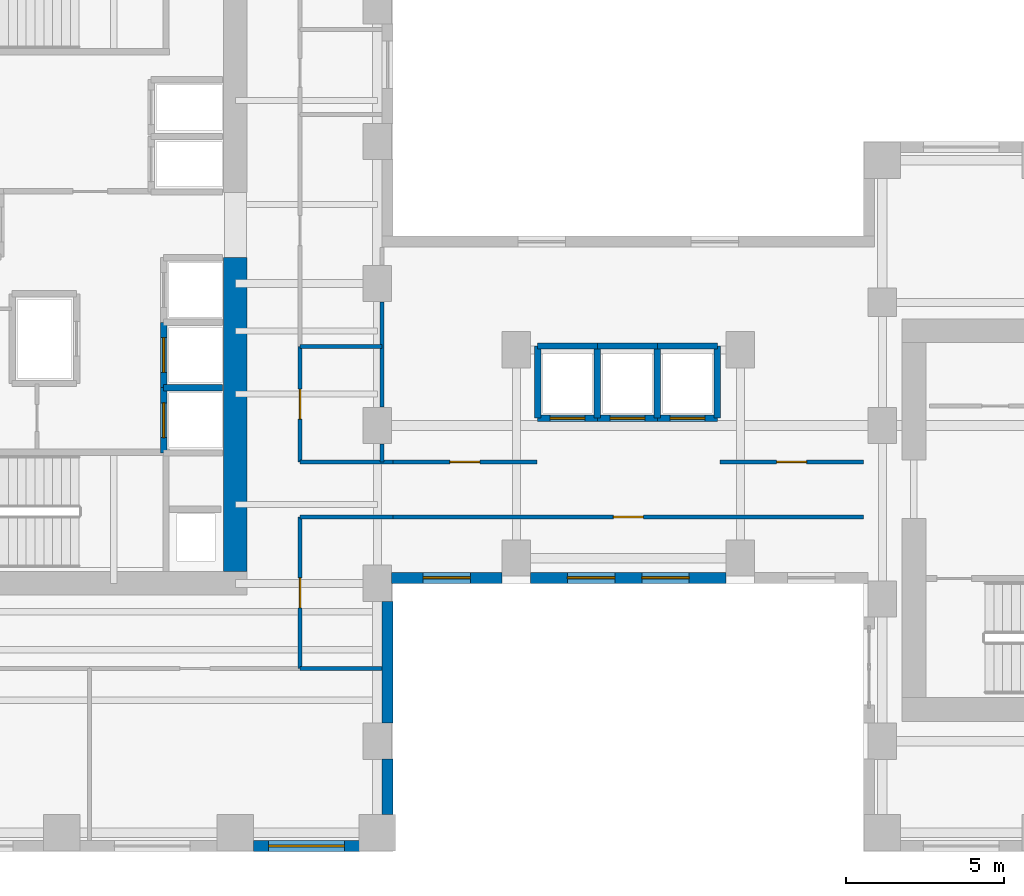
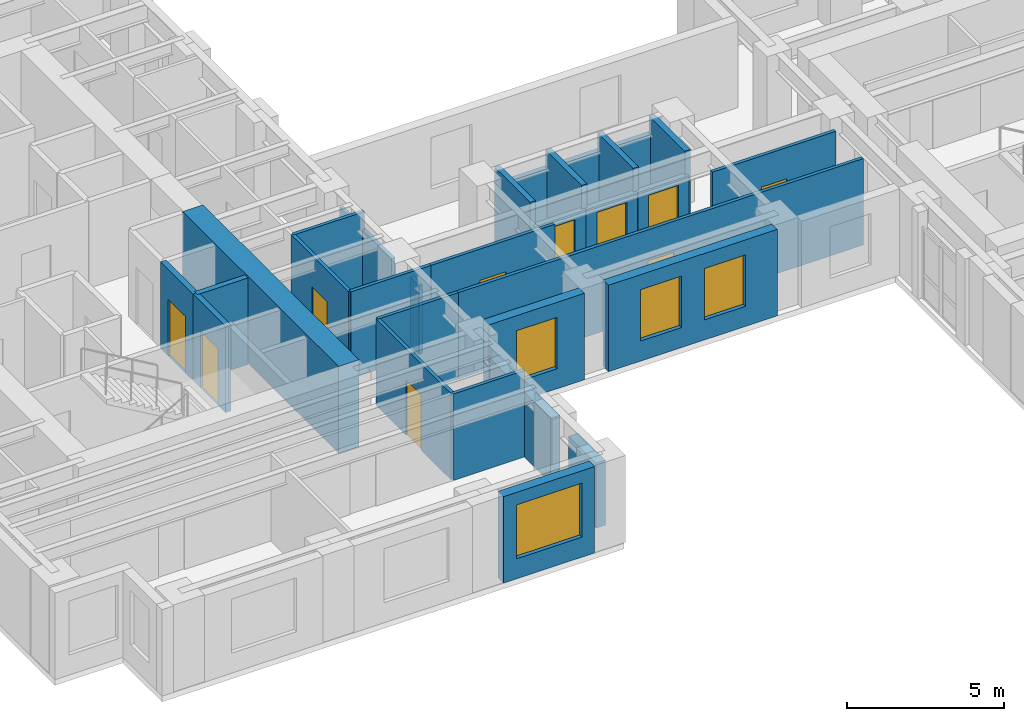
# One storey, part 5 of 12: 30 walls, 10 doors, 4 windows, 14 openings.
"""IFC4 building model written with IfcOpenShell, lengths in metres."""

from ifc_helpers import new_model, si_unit, direction, frame, frame_2d, origin, place, context, subcontext, project, spatial, rectangle, extrude, source, transform, mapped, material, layer, layer_set, type_object, element, fill, save


model = new_model("IFC4")

# Units and contexts
model_context = context("Model", 3, precision=1e-05, world=origin(), true_north=direction((0.0, 1.0)))
body_context = subcontext(model_context, "Body", "Model", "MODEL_VIEW")
ifc_project = project(units=[si_unit("LENGTHUNIT", "METRE"), si_unit("AREAUNIT", "SQUARE_METRE"), si_unit("VOLUMEUNIT", "CUBIC_METRE"), si_unit("PLANEANGLEUNIT", "RADIAN"), si_unit("MASSUNIT", "GRAM", prefix="KILO")], contexts=[model_context])

# Site, building, storey
site_placement = place(None, origin())
site = spatial("IfcSite", under=ifc_project, at=site_placement, CompositionType="ELEMENT")
building_placement = place(site_placement, origin())
building = spatial("IfcBuilding", under=site, at=building_placement, Name="Kharzan Plaza Tower", CompositionType="ELEMENT")
storey_placement = place(building_placement, frame((0.0, 0.0, 117.0)))
storey = spatial("IfcBuildingStorey", under=building, at=storey_placement, Name="L31", CompositionType="ELEMENT", Elevation=117.0)

# Wall, opening, window
ifc_material_1 = material(Name="Concrete C40/50", Category="concrete")
ifc_layer_1 = layer(ifc_material_1, 0.35009765625)
ifc_layer_set_1 = layer_set([ifc_layer_1], Name="Concrete C40/50")
wall_type_1 = type_object("IfcWallType", Name="WL-EXT-MAS-Z2", PredefinedType="SOLIDWALL", material=ifc_layer_set_1)
wall_1_placement = place(storey_placement, frame((15.072998046875, 0.175048828125, 0.0), z_axis=(0.0, 0.0, 1.0), x_axis=(1.0, 0.0, 0.0)))
wall_1 = element("IfcWall", 1, at=wall_1_placement, inside=storey, type_object=wall_type_1, Name="L31 Masonry-Frame Exterior Wall 31", PredefinedType="SOLIDWALL", context=body_context, shape_type="SweptSolid", body=[
    extrude(rectangle(XDim=3.35400390625, YDim=0.35009765625, at=frame_2d((1.677001953125, 0.0))), origin(), (0.0, 0.0, 1.0), 3.364990234375),
])
opening_1_placement = place(wall_1_placement, frame((0.47705078125, 0.0, 0.780029296875)))
opening_1 = element("IfcOpeningElement", 2, at=opening_1_placement, cuts=wall_1, Name="Opening W2", PredefinedType="OPENING", context=body_context, shape_type="SweptSolid", body=[
    extrude(rectangle(XDim=2.39990234375, YDim=2.10009765625, at=frame_2d((1.199951171875, 1.050048828125))), frame((0.0, 0.18505859375, 0.0), z_axis=(0.0, -1.0, 0.0), x_axis=(1.0, 0.0, 0.0)), (0.0, 0.0, 1.0), 0.3701171875),
])
ifc_material_2 = material(Name="Low-E Double Glazing", Category="glass")
window_type_1 = type_object("IfcWindowType", Name="WN-REC-2400x2100", PartitioningType="SINGLE_PANEL", PredefinedType="WINDOW", material=ifc_material_2)
shared_shape_1 = source(origin(), body_context, "Body", "SweptSolid", [
    extrude(rectangle(XDim=2.39990234375, YDim=2.10009765625, at=frame_2d((1.199951171875, 1.050048828125))), frame((0.0, 0.030029296875, 0.0), z_axis=(0.0, -1.0, 0.0), x_axis=(1.0, 0.0, 0.0)), (0.0, 0.0, 1.0), 0.06005859375),
])
window_1_placement = place(opening_1_placement, origin())
window_1 = element("IfcWindow", 3, at=window_1_placement, inside=storey, type_object=window_type_1, Name="L31 Wide Recessed Solar-Control Window 31-1", OverallHeight=2.10009765625, OverallWidth=2.39990234375, PartitioningType="SINGLE_PANEL", PredefinedType="WINDOW", context=body_context, shape_type="MappedRepresentation", body=[
    mapped(shared_shape_1, transform((0.0, 0.0, 0.0), x_axis=(1.0, 0.0, 0.0), y_axis=(0.0, 1.0, 0.0), z_axis=(0.0, 0.0, 1.0))),
])
fill(opening_1, window_1)

wall_2_placement = place(storey_placement, frame((19.447998046875, 8.675048828125, 0.0), z_axis=(0.0, 0.0, 1.0), x_axis=(1.0, 0.0, 0.0)))
wall_2 = element("IfcWall", 4, at=wall_2_placement, inside=storey, type_object=wall_type_1, Name="L31 Masonry-Frame Exterior Wall 34", PredefinedType="SOLIDWALL", context=body_context, shape_type="SweptSolid", body=[
    extrude(rectangle(XDim=3.50390625, YDim=0.35009765625, at=frame_2d((1.751953125, 0.0))), origin(), (0.0, 0.0, 1.0), 3.364990234375),
])
opening_2_placement = place(wall_2_placement, frame((1.001953125, 0.0, 0.780029296875)))
opening_2 = element("IfcOpeningElement", 5, at=opening_2_placement, cuts=wall_2, Name="Opening W5", PredefinedType="OPENING", context=body_context, shape_type="SweptSolid", body=[
    extrude(rectangle(XDim=1.5, YDim=2.0, at=frame_2d((0.75, 1.0))), frame((0.0, 0.18505859375, 0.0), z_axis=(0.0, -1.0, 0.0), x_axis=(1.0, 0.0, 0.0)), (0.0, 0.0, 1.0), 0.3701171875),
])
window_type_2 = type_object("IfcWindowType", Name="WN-SLT-1500x2000", PartitioningType="SINGLE_PANEL", PredefinedType="WINDOW", material=ifc_material_2)
shared_shape_2 = source(origin(), body_context, "Body", "SweptSolid", [
    extrude(rectangle(XDim=1.5, YDim=2.0, at=frame_2d((0.75, 1.0))), frame((0.0, 0.030029296875, 0.0), z_axis=(0.0, -1.0, 0.0), x_axis=(1.0, 0.0, 0.0)), (0.0, 0.0, 1.0), 0.06005859375),
])
window_2_placement = place(opening_2_placement, origin())
window_2 = element("IfcWindow", 6, at=window_2_placement, inside=storey, type_object=window_type_2, Name="L31 Recessed Solar-Control Window 34-1", OverallHeight=2.0, OverallWidth=1.5, PartitioningType="SINGLE_PANEL", PredefinedType="WINDOW", context=body_context, shape_type="MappedRepresentation", body=[
    mapped(shared_shape_2, transform((0.0, 0.0, 0.0), x_axis=(1.0, 0.0, 0.0), y_axis=(0.0, 1.0, 0.0), z_axis=(0.0, 0.0, 1.0))),
])
fill(opening_2, window_2)

# Wall, openings, windows
wall_3_placement = place(storey_placement, frame((23.847900390625, 8.675048828125, 0.0), z_axis=(0.0, 0.0, 1.0), x_axis=(1.0, 0.0, 0.0)))
wall_3 = element("IfcWall", 7, at=wall_3_placement, inside=storey, type_object=wall_type_1, Name="L31 Masonry-Frame Exterior Wall 35", PredefinedType="SOLIDWALL", context=body_context, shape_type="SweptSolid", body=[
    extrude(rectangle(XDim=6.2041015625, YDim=0.35009765625, at=frame_2d((3.10205078125, 0.0))), origin(), (0.0, 0.0, 1.0), 3.364990234375),
])
opening_3_placement = place(wall_3_placement, frame((1.1748046875, 0.0, 0.780029296875)))
opening_3 = element("IfcOpeningElement", 8, at=opening_3_placement, cuts=wall_3, Name="Opening W5", PredefinedType="OPENING", context=body_context, shape_type="SweptSolid", body=[
    extrude(rectangle(XDim=1.5, YDim=2.0, at=frame_2d((0.75, 1.0))), frame((0.0, 0.18505859375, 0.0), z_axis=(0.0, -1.0, 0.0), x_axis=(1.0, 0.0, 0.0)), (0.0, 0.0, 1.0), 0.3701171875),
])
opening_4_placement = place(wall_3_placement, frame((3.529296875, 0.0, 0.780029296875)))
opening_4 = element("IfcOpeningElement", 9, at=opening_4_placement, cuts=wall_3, Name="Opening W5", PredefinedType="OPENING", context=body_context, shape_type="SweptSolid", body=[
    extrude(rectangle(XDim=1.5, YDim=2.0, at=frame_2d((0.75, 1.0))), frame((0.0, 0.18505859375, 0.0), z_axis=(0.0, -1.0, 0.0), x_axis=(1.0, 0.0, 0.0)), (0.0, 0.0, 1.0), 0.3701171875),
])
window_3_placement = place(opening_3_placement, origin())
window_3 = element("IfcWindow", 10, at=window_3_placement, inside=storey, type_object=window_type_2, Name="L31 Recessed Solar-Control Window 35-1", OverallHeight=2.0, OverallWidth=1.5, PartitioningType="SINGLE_PANEL", PredefinedType="WINDOW", context=body_context, shape_type="MappedRepresentation", body=[
    mapped(shared_shape_2, transform((0.0, 0.0, 0.0), x_axis=(1.0, 0.0, 0.0), y_axis=(0.0, 1.0, 0.0), z_axis=(0.0, 0.0, 1.0))),
])
fill(opening_3, window_3)
window_4_placement = place(opening_4_placement, origin())
window_4 = element("IfcWindow", 11, at=window_4_placement, inside=storey, type_object=window_type_2, Name="L31 Recessed Solar-Control Window 35-2", OverallHeight=2.0, OverallWidth=1.5, PartitioningType="SINGLE_PANEL", PredefinedType="WINDOW", context=body_context, shape_type="MappedRepresentation", body=[
    mapped(shared_shape_2, transform((0.0, 0.0, 0.0), x_axis=(1.0, 0.0, 0.0), y_axis=(0.0, 1.0, 0.0), z_axis=(0.0, 0.0, 1.0))),
])
fill(opening_4, window_4)

# Wall, opening, door
ifc_material_3 = material(Name="Fire-Rated Gypsum Board Partition", Category="gypsum")
ifc_layer_2 = layer(ifc_material_3, 0.125)
ifc_layer_set_2 = layer_set([ifc_layer_2], Name="Fire-Rated Gypsum Board Partition")
wall_type_2 = type_object("IfcWallType", Name="WL-INT-PART-125", PredefinedType="PARTITIONING", material=ifc_layer_set_2)
wall_4_placement = place(storey_placement, frame((16.550048828125, 12.35009765625, 0.0), z_axis=(0.0, 0.0, 1.0), x_axis=(0.0, 1.0, 0.0)))
wall_4 = element("IfcWall", 12, at=wall_4_placement, inside=storey, type_object=wall_type_2, Name="L31 Interior Partition SH-AEWN1", PredefinedType="PARTITIONING", context=body_context, shape_type="SweptSolid", body=[
    extrude(rectangle(XDim=3.64990234375, YDim=0.125, at=frame_2d((1.824951171875, 0.0))), origin(), (0.0, 0.0, 1.0), 3.364990234375),
])
opening_5_placement = place(wall_4_placement, frame((1.35009765625, 0.0, 0.0)))
opening_5 = element("IfcOpeningElement", 13, at=opening_5_placement, cuts=wall_4, Name="Opening OD1", PredefinedType="OPENING", context=body_context, shape_type="SweptSolid", body=[
    extrude(rectangle(XDim=0.949951171875, YDim=2.14990234375, at=frame_2d((0.47509765625, 1.074951171875))), frame((0.0, 0.072509765625, 0.0), z_axis=(0.0, -1.0, 0.0), x_axis=(1.0, 0.0, 0.0)), (0.0, 0.0, 1.0), 0.14501953125),
])
ifc_material_4 = material(Name="Acoustic Solid-Core Stained Oak", Category="timber")
door_type_1 = type_object("IfcDoorType", Name="DR-OFF-SINGLE", OperationType="NOTDEFINED", PredefinedType="DOOR", material=ifc_material_4)
shared_shape_3 = source(origin(), body_context, "Body", "SweptSolid", [
    extrude(rectangle(XDim=0.949951171875, YDim=2.14990234375, at=frame_2d((0.47509765625, 1.074951171875))), frame((0.0, 0.02490234375, 0.0), z_axis=(0.0, -1.0, 0.0), x_axis=(1.0, 0.0, 0.0)), (0.0, 0.0, 1.0), 0.050048828125),
])
door_1_placement = place(opening_5_placement, origin())
door_1 = element("IfcDoor", 14, at=door_1_placement, inside=storey, type_object=door_type_1, Name="L31 Slot Collaboration Door", OperationType="SINGLE_SWING_RIGHT", OverallHeight=2.14990234375, OverallWidth=0.949951171875, PredefinedType="DOOR", context=body_context, shape_type="MappedRepresentation", body=[
    mapped(shared_shape_3, transform((0.0, 0.0, 0.0), x_axis=(1.0, 0.0, 0.0), y_axis=(0.0, 1.0, 0.0), z_axis=(0.0, 0.0, 1.0))),
])
fill(opening_5, door_1)

wall_5_placement = place(storey_placement, frame((16.550048828125, 5.800048828125, 0.0), z_axis=(0.0, 0.0, 1.0), x_axis=(0.0, 1.0, 0.0)))
wall_5 = element("IfcWall", 15, at=wall_5_placement, inside=storey, type_object=wall_type_2, Name="L31 Interior Partition SH-AEWS", PredefinedType="PARTITIONING", context=body_context, shape_type="SweptSolid", body=[
    extrude(rectangle(XDim=4.800048828125, YDim=0.125, at=frame_2d((2.39990234375, 0.0))), origin(), (0.0, 0.0, 1.0), 3.364990234375),
])
opening_6_placement = place(wall_5_placement, frame((1.925048828125, 0.0, 0.0)))
opening_6 = element("IfcOpeningElement", 16, at=opening_6_placement, cuts=wall_5, Name="Opening OD1", PredefinedType="OPENING", context=body_context, shape_type="SweptSolid", body=[
    extrude(rectangle(XDim=0.949951171875, YDim=2.14990234375, at=frame_2d((0.47509765625, 1.074951171875))), frame((0.0, 0.072509765625, 0.0), z_axis=(0.0, -1.0, 0.0), x_axis=(1.0, 0.0, 0.0)), (0.0, 0.0, 1.0), 0.14501953125),
])
door_2_placement = place(opening_6_placement, origin())
door_2 = element("IfcDoor", 17, at=door_2_placement, inside=storey, type_object=door_type_1, Name="L31 Slot South Office Door", OperationType="SINGLE_SWING_LEFT", OverallHeight=2.14990234375, OverallWidth=0.949951171875, PredefinedType="DOOR", context=body_context, shape_type="MappedRepresentation", body=[
    mapped(shared_shape_3, transform((0.0, 0.0, 0.0), x_axis=(1.0, 0.0, 0.0), y_axis=(0.0, 1.0, 0.0), z_axis=(0.0, 0.0, 1.0))),
])
fill(opening_6, door_2)

wall_6_placement = place(storey_placement, frame((29.85009765625, 12.35009765625, 0.0), z_axis=(0.0, 0.0, 1.0), x_axis=(1.0, 0.0, 0.0)))
wall_6 = element("IfcWall", 18, at=wall_6_placement, inside=storey, type_object=wall_type_2, Name="L31 Interior Partition SH-SPNE1", PredefinedType="PARTITIONING", context=body_context, shape_type="SweptSolid", body=[
    extrude(rectangle(XDim=4.5498046875, YDim=0.125, at=frame_2d((2.27490234375, 0.0))), origin(), (0.0, 0.0, 1.0), 3.364990234375),
])
opening_7_placement = place(wall_6_placement, frame((1.800048828125, 0.0, 0.0)))
opening_7 = element("IfcOpeningElement", 19, at=opening_7_placement, cuts=wall_6, Name="Opening OD1", PredefinedType="OPENING", context=body_context, shape_type="SweptSolid", body=[
    extrude(rectangle(XDim=0.949951171875, YDim=2.14990234375, at=frame_2d((0.47509765625, 1.074951171875))), frame((0.0, 0.072509765625, 0.0), z_axis=(0.0, -1.0, 0.0), x_axis=(1.0, 0.0, 0.0)), (0.0, 0.0, 1.0), 0.14501953125),
])
door_3_placement = place(opening_7_placement, origin())
door_3 = element("IfcDoor", 20, at=door_3_placement, inside=storey, type_object=door_type_1, Name="L31 North-East Spine Door", OperationType="SINGLE_SWING_RIGHT", OverallHeight=2.14990234375, OverallWidth=0.949951171875, PredefinedType="DOOR", context=body_context, shape_type="MappedRepresentation", body=[
    mapped(shared_shape_3, transform((0.0, 0.0, 0.0), x_axis=(1.0, 0.0, 0.0), y_axis=(0.0, 1.0, 0.0), z_axis=(0.0, 0.0, 1.0))),
])
fill(opening_7, door_3)

wall_7_placement = place(storey_placement, frame((19.5, 12.35009765625, 0.0), z_axis=(0.0, 0.0, 1.0), x_axis=(1.0, 0.0, 0.0)))
wall_7 = element("IfcWall", 21, at=wall_7_placement, inside=storey, type_object=wall_type_2, Name="L31 Interior Partition SH-SPNW1", PredefinedType="PARTITIONING", context=body_context, shape_type="SweptSolid", body=[
    extrude(rectangle(XDim=4.550048828125, YDim=0.125, at=frame_2d((2.27490234375, 0.0))), origin(), (0.0, 0.0, 1.0), 3.364990234375),
])
opening_8_placement = place(wall_7_placement, frame((1.800048828125, 0.0, 0.0)))
opening_8 = element("IfcOpeningElement", 22, at=opening_8_placement, cuts=wall_7, Name="Opening OD1", PredefinedType="OPENING", context=body_context, shape_type="SweptSolid", body=[
    extrude(rectangle(XDim=0.949951171875, YDim=2.14990234375, at=frame_2d((0.47509765625, 1.074951171875))), frame((0.0, 0.072509765625, 0.0), z_axis=(0.0, -1.0, 0.0), x_axis=(1.0, 0.0, 0.0)), (0.0, 0.0, 1.0), 0.14501953125),
])
door_4_placement = place(opening_8_placement, origin())
door_4 = element("IfcDoor", 23, at=door_4_placement, inside=storey, type_object=door_type_1, Name="L31 North-West Spine Door", OperationType="SINGLE_SWING_LEFT", OverallHeight=2.14990234375, OverallWidth=0.949951171875, PredefinedType="DOOR", context=body_context, shape_type="MappedRepresentation", body=[
    mapped(shared_shape_3, transform((0.0, 0.0, 0.0), x_axis=(1.0, 0.0, 0.0), y_axis=(0.0, 1.0, 0.0), z_axis=(0.0, 0.0, 1.0))),
])
fill(opening_8, door_4)

wall_8_placement = place(storey_placement, frame((19.5, 10.60009765625, 0.0), z_axis=(0.0, 0.0, 1.0), x_axis=(1.0, 0.0, 0.0)))
wall_8 = element("IfcWall", 24, at=wall_8_placement, inside=storey, type_object=wall_type_2, Name="L31 Interior Partition SH-SPS1", PredefinedType="PARTITIONING", context=body_context, shape_type="SweptSolid", body=[
    extrude(rectangle(XDim=14.89990234375, YDim=0.125, at=frame_2d((7.449951171875, 0.0))), origin(), (0.0, 0.0, 1.0), 3.364990234375),
])
opening_9_placement = place(wall_8_placement, frame((6.97509765625, 0.0, 0.0)))
opening_9 = element("IfcOpeningElement", 25, at=opening_9_placement, cuts=wall_8, Name="Opening OD1", PredefinedType="OPENING", context=body_context, shape_type="SweptSolid", body=[
    extrude(rectangle(XDim=0.949951171875, YDim=2.14990234375, at=frame_2d((0.47509765625, 1.074951171875))), frame((0.0, 0.072509765625, 0.0), z_axis=(0.0, -1.0, 0.0), x_axis=(1.0, 0.0, 0.0)), (0.0, 0.0, 1.0), 0.14501953125),
])
door_5_placement = place(opening_9_placement, origin())
door_5 = element("IfcDoor", 26, at=door_5_placement, inside=storey, type_object=door_type_1, Name="L31 South Spine Studio Door", OperationType="SINGLE_SWING_RIGHT", OverallHeight=2.14990234375, OverallWidth=0.949951171875, PredefinedType="DOOR", context=body_context, shape_type="MappedRepresentation", body=[
    mapped(shared_shape_3, transform((0.0, 0.0, 0.0), x_axis=(1.0, 0.0, 0.0), y_axis=(0.0, 1.0, 0.0), z_axis=(0.0, 0.0, 1.0))),
])
fill(opening_9, door_5)

ifc_layer_3 = layer(ifc_material_1, 0.199951171875)
ifc_layer_set_3 = layer_set([ifc_layer_3], Name="Concrete C40/50")
wall_type_3 = type_object("IfcWallType", Name="WL-INT-SHAFT-200", PredefinedType="PARTITIONING", material=ifc_layer_set_3)
wall_9_placement = place(storey_placement, frame((12.22998046875, 12.6298828125, 0.0), z_axis=(0.0, 0.0, 1.0), x_axis=(0.0, 1.0, 0.0)))
wall_9 = element("IfcWall", 27, at=wall_9_placement, inside=storey, type_object=wall_type_3, Name="L31 Interior Partition SHF-PL-H1-W", PredefinedType="PARTITIONING", context=body_context, shape_type="SweptSolid", body=[
    extrude(rectangle(XDim=2.070068359375, YDim=0.199951171875, at=frame_2d((1.03515625, 0.0))), origin(), (0.0, 0.0, 1.0), 3.364990234375),
])
opening_10_placement = place(wall_9_placement, frame((0.485107421875, 0.0, 0.0)))
opening_10 = element("IfcOpeningElement", 28, at=opening_10_placement, cuts=wall_9, Name="Opening LD", PredefinedType="OPENING", context=body_context, shape_type="SweptSolid", body=[
    extrude(rectangle(XDim=1.10009765625, YDim=2.199951171875, at=frame_2d((0.550048828125, 1.10009765625))), frame((0.0, 0.10986328125, 0.0), z_axis=(0.0, -1.0, 0.0), x_axis=(1.0, 0.0, 0.0)), (0.0, 0.0, 1.0), 0.219970703125),
])
ifc_material_5 = material(Name="Brushed Stainless Steel", Category="steel")
door_type_2 = type_object("IfcDoorType", Name="DR-LIFT-SLIDE", OperationType="SLIDING_TO_LEFT", PredefinedType="DOOR", material=ifc_material_5)
shared_shape_4 = source(origin(), body_context, "Body", "SweptSolid", [
    extrude(rectangle(XDim=1.10009765625, YDim=2.199951171875, at=frame_2d((0.550048828125, 1.10009765625))), frame((0.0, 0.02490234375, 0.0), z_axis=(0.0, -1.0, 0.0), x_axis=(1.0, 0.0, 0.0)), (0.0, 0.0, 1.0), 0.050048828125),
])
door_6_placement = place(opening_10_placement, origin())
door_6 = element("IfcDoor", 29, at=door_6_placement, inside=storey, type_object=door_type_2, Name="L31 High-Rise Passenger Lift PL-H1 Sliding Landing Door", OperationType="SLIDING_TO_LEFT", OverallHeight=2.199951171875, OverallWidth=1.10009765625, PredefinedType="DOOR", context=body_context, shape_type="MappedRepresentation", body=[
    mapped(shared_shape_4, transform((0.0, 0.0, 0.0), x_axis=(1.0, 0.0, 0.0), y_axis=(0.0, 1.0, 0.0), z_axis=(0.0, 0.0, 1.0))),
])
fill(opening_10, door_6)

wall_10_placement = place(storey_placement, frame((12.22998046875, 14.699951171875, 0.0), z_axis=(0.0, 0.0, 1.0), x_axis=(0.0, 1.0, 0.0)))
wall_10 = element("IfcWall", 30, at=wall_10_placement, inside=storey, type_object=wall_type_3, Name="L31 Interior Partition SHF-PL-H2-W", PredefinedType="PARTITIONING", context=body_context, shape_type="SweptSolid", body=[
    extrude(rectangle(XDim=2.070068359375, YDim=0.199951171875, at=frame_2d((1.03515625, 0.0))), origin(), (0.0, 0.0, 1.0), 3.364990234375),
])
opening_11_placement = place(wall_10_placement, frame((0.485107421875, 0.0, 0.0)))
opening_11 = element("IfcOpeningElement", 31, at=opening_11_placement, cuts=wall_10, Name="Opening LD", PredefinedType="OPENING", context=body_context, shape_type="SweptSolid", body=[
    extrude(rectangle(XDim=1.10009765625, YDim=2.199951171875, at=frame_2d((0.550048828125, 1.10009765625))), frame((0.0, 0.10986328125, 0.0), z_axis=(0.0, -1.0, 0.0), x_axis=(1.0, 0.0, 0.0)), (0.0, 0.0, 1.0), 0.219970703125),
])
door_7_placement = place(opening_11_placement, origin())
door_7 = element("IfcDoor", 32, at=door_7_placement, inside=storey, type_object=door_type_2, Name="L31 High-Rise Passenger Lift PL-H2 Sliding Landing Door", OperationType="SLIDING_TO_LEFT", OverallHeight=2.199951171875, OverallWidth=1.10009765625, PredefinedType="DOOR", context=body_context, shape_type="MappedRepresentation", body=[
    mapped(shared_shape_4, transform((0.0, 0.0, 0.0), x_axis=(1.0, 0.0, 0.0), y_axis=(0.0, 1.0, 0.0), z_axis=(0.0, 0.0, 1.0))),
])
fill(opening_11, door_7)

wall_11_placement = place(storey_placement, frame((24.080078125, 13.72998046875, 0.0), z_axis=(0.0, 0.0, 1.0), x_axis=(1.0, 0.0, 0.0)))
wall_11 = element("IfcWall", 33, at=wall_11_placement, inside=storey, type_object=wall_type_3, Name="L31 Interior Partition SHF-PL-M1-S", PredefinedType="PARTITIONING", context=body_context, shape_type="SweptSolid", body=[
    extrude(rectangle(XDim=1.889892578125, YDim=0.199951171875, at=frame_2d((0.94482421875, 0.0))), origin(), (0.0, 0.0, 1.0), 2.446044921875),
])
opening_12_placement = place(wall_11_placement, frame((0.39501953125, 0.0, 0.0)))
opening_12 = element("IfcOpeningElement", 34, at=opening_12_placement, cuts=wall_11, Name="Opening LD", PredefinedType="OPENING", context=body_context, shape_type="SweptSolid", body=[
    extrude(rectangle(XDim=1.10009765625, YDim=2.199951171875, at=frame_2d((0.550048828125, 1.10009765625))), frame((0.0, 0.10986328125, 0.0), z_axis=(0.0, -1.0, 0.0), x_axis=(1.0, 0.0, 0.0)), (0.0, 0.0, 1.0), 0.219970703125),
])
door_8_placement = place(opening_12_placement, origin())
door_8 = element("IfcDoor", 35, at=door_8_placement, inside=storey, type_object=door_type_2, Name="L31 Mid-Rise Passenger Lift PL-M1 Sliding Landing Door", OperationType="SLIDING_TO_LEFT", OverallHeight=2.199951171875, OverallWidth=1.10009765625, PredefinedType="DOOR", context=body_context, shape_type="MappedRepresentation", body=[
    mapped(shared_shape_4, transform((0.0, 0.0, 0.0), x_axis=(1.0, 0.0, 0.0), y_axis=(0.0, 1.0, 0.0), z_axis=(0.0, 0.0, 1.0))),
])
fill(opening_12, door_8)

wall_12_placement = place(storey_placement, frame((25.97998046875, 13.72998046875, 0.0), z_axis=(0.0, 0.0, 1.0), x_axis=(1.0, 0.0, 0.0)))
wall_12 = element("IfcWall", 36, at=wall_12_placement, inside=storey, type_object=wall_type_3, Name="L31 Interior Partition SHF-PL-M2-S", PredefinedType="PARTITIONING", context=body_context, shape_type="SweptSolid", body=[
    extrude(rectangle(XDim=1.89013671875, YDim=0.199951171875, at=frame_2d((0.945068359375, 0.0))), origin(), (0.0, 0.0, 1.0), 2.446044921875),
])
opening_13_placement = place(wall_12_placement, frame((0.39501953125, 0.0, 0.0)))
opening_13 = element("IfcOpeningElement", 37, at=opening_13_placement, cuts=wall_12, Name="Opening LD", PredefinedType="OPENING", context=body_context, shape_type="SweptSolid", body=[
    extrude(rectangle(XDim=1.10009765625, YDim=2.199951171875, at=frame_2d((0.550048828125, 1.10009765625))), frame((0.0, 0.10986328125, 0.0), z_axis=(0.0, -1.0, 0.0), x_axis=(1.0, 0.0, 0.0)), (0.0, 0.0, 1.0), 0.219970703125),
])
door_9_placement = place(opening_13_placement, origin())
door_9 = element("IfcDoor", 38, at=door_9_placement, inside=storey, type_object=door_type_2, Name="L31 Mid-Rise Passenger Lift PL-M2 Sliding Landing Door", OperationType="SLIDING_TO_LEFT", OverallHeight=2.199951171875, OverallWidth=1.10009765625, PredefinedType="DOOR", context=body_context, shape_type="MappedRepresentation", body=[
    mapped(shared_shape_4, transform((0.0, 0.0, 0.0), x_axis=(1.0, 0.0, 0.0), y_axis=(0.0, 1.0, 0.0), z_axis=(0.0, 0.0, 1.0))),
])
fill(opening_13, door_9)

wall_13_placement = place(storey_placement, frame((27.8798828125, 13.72998046875, 0.0), z_axis=(0.0, 0.0, 1.0), x_axis=(1.0, 0.0, 0.0)))
wall_13 = element("IfcWall", 39, at=wall_13_placement, inside=storey, type_object=wall_type_3, Name="L31 Interior Partition SHF-PL-M3-S", PredefinedType="PARTITIONING", context=body_context, shape_type="SweptSolid", body=[
    extrude(rectangle(XDim=1.89013671875, YDim=0.199951171875, at=frame_2d((0.945068359375, 0.0))), origin(), (0.0, 0.0, 1.0), 2.446044921875),
])
opening_14_placement = place(wall_13_placement, frame((0.39501953125, 0.0, 0.0)))
opening_14 = element("IfcOpeningElement", 40, at=opening_14_placement, cuts=wall_13, Name="Opening LD", PredefinedType="OPENING", context=body_context, shape_type="SweptSolid", body=[
    extrude(rectangle(XDim=1.10009765625, YDim=2.199951171875, at=frame_2d((0.550048828125, 1.10009765625))), frame((0.0, 0.10986328125, 0.0), z_axis=(0.0, -1.0, 0.0), x_axis=(1.0, 0.0, 0.0)), (0.0, 0.0, 1.0), 0.219970703125),
])
door_10_placement = place(opening_14_placement, origin())
door_10 = element("IfcDoor", 41, at=door_10_placement, inside=storey, type_object=door_type_2, Name="L31 Mid-Rise Passenger Lift PL-M3 Sliding Landing Door", OperationType="SLIDING_TO_LEFT", OverallHeight=2.199951171875, OverallWidth=1.10009765625, PredefinedType="DOOR", context=body_context, shape_type="MappedRepresentation", body=[
    mapped(shared_shape_4, transform((0.0, 0.0, 0.0), x_axis=(1.0, 0.0, 0.0), y_axis=(0.0, 1.0, 0.0), z_axis=(0.0, 0.0, 1.0))),
])
fill(opening_14, door_10)

# Walls
shared_shape_5 = source(origin(), body_context, "Body", "SweptSolid", [
    extrude(rectangle(XDim=2.597900390625, YDim=0.125, at=frame_2d((1.298828125, 0.0))), origin(), (0.0, 0.0, 1.0), 3.364990234375),
])
wall_14_placement = place(storey_placement, frame((16.550048828125, 5.800048828125, 0.0), z_axis=(0.0, 0.0, 1.0), x_axis=(1.0, 0.0, 0.0)))
element("IfcWall", 42, at=wall_14_placement, inside=storey, type_object=wall_type_2, Name="L31 Interior Partition SH-SSE-2", PredefinedType="PARTITIONING", context=body_context, shape_type="MappedRepresentation", body=[
    mapped(shared_shape_5, transform((0.0, 0.0, 0.0), x_axis=(1.0, 0.0, 0.0), y_axis=(0.0, 1.0, 0.0), z_axis=(0.0, 0.0, 1.0))),
])
shared_shape_6 = source(origin(), body_context, "Body", "SweptSolid", [
    extrude(rectangle(XDim=2.949951171875, YDim=0.125, at=frame_2d((1.47509765625, 0.0))), origin(), (0.0, 0.0, 1.0), 3.364990234375),
])
for number, where, z_axis, x_axis, name in (
    (43, (16.550048828125, 12.35009765625, 0.0), (0.0, 0.0, 1.0), (1.0, 0.0, 0.0), "L31 Interior Partition SH-SPNW0"),
    (44, (16.550048828125, 10.60009765625, 0.0), (0.0, 0.0, 1.0), (1.0, 0.0, 0.0), "L31 Interior Partition SH-SPS0"),
):
    element("IfcWall", number, at=place(storey_placement, frame(where, z_axis=z_axis, x_axis=x_axis)), inside=storey, type_object=wall_type_2, Name=name, PredefinedType="PARTITIONING", context=body_context, shape_type="MappedRepresentation", body=[
        mapped(shared_shape_6, transform((0.0, 0.0, 0.0), x_axis=(1.0, 0.0, 0.0), y_axis=(0.0, 1.0, 0.0), z_axis=(0.0, 0.0, 1.0))),
    ])
shared_shape_7 = source(origin(), body_context, "Body", "SweptSolid", [
    extrude(rectangle(XDim=2.2900390625, YDim=0.199951171875, at=frame_2d((1.14501953125, 0.0))), origin(), (0.0, 0.0, 1.0), 3.364990234375),
])
for number, where, z_axis, x_axis, name in (
    (45, (25.969970703125, 13.72998046875, 0.0), (0.0, 0.0, 1.0), (0.0, 1.0, 0.0), "L31 Interior Partition SHF-PL-M1-E"),
    (46, (24.080078125, 13.72998046875, 0.0), (0.0, 0.0, 1.0), (0.0, 1.0, 0.0), "L31 Interior Partition SHF-PL-M1-W"),
    (47, (27.8701171875, 13.72998046875, 0.0), (0.0, 0.0, 1.0), (0.0, 1.0, 0.0), "L31 Interior Partition SHF-PL-M2-E"),
    (48, (29.77001953125, 13.72998046875, 0.0), (0.0, 0.0, 1.0), (0.0, 1.0, 0.0), "L31 Interior Partition SHF-PL-M3-E"),
):
    element("IfcWall", number, at=place(storey_placement, frame(where, z_axis=z_axis, x_axis=x_axis)), inside=storey, type_object=wall_type_3, Name=name, PredefinedType="PARTITIONING", context=body_context, shape_type="MappedRepresentation", body=[
        mapped(shared_shape_7, transform((0.0, 0.0, 0.0), x_axis=(1.0, 0.0, 0.0), y_axis=(0.0, 1.0, 0.0), z_axis=(0.0, 0.0, 1.0))),
    ])
shared_shape_8 = source(origin(), body_context, "Body", "SweptSolid", [
    extrude(rectangle(XDim=2.599853515625, YDim=0.125, at=frame_2d((1.2998046875, 0.0))), origin(), (0.0, 0.0, 1.0), 3.364990234375),
])
wall_15_placement = place(storey_placement, frame((16.550048828125, 16.0, 0.0), z_axis=(0.0, 0.0, 1.0), x_axis=(1.0, 0.0, 0.0)))
element("IfcWall", 49, at=wall_15_placement, inside=storey, type_object=wall_type_2, Name="L31 Interior Partition SH-AEH-160", PredefinedType="PARTITIONING", context=body_context, shape_type="MappedRepresentation", body=[
    mapped(shared_shape_8, transform((0.0, 0.0, 0.0), x_axis=(1.0, 0.0, 0.0), y_axis=(0.0, 1.0, 0.0), z_axis=(0.0, 0.0, 1.0))),
])
shared_shape_9 = source(origin(), body_context, "Body", "SweptSolid", [
    extrude(rectangle(XDim=1.75390625, YDim=0.35009765625, at=frame_2d((0.876953125, 0.0))), origin(), (0.0, 0.0, 1.0), 2.51904296875),
])
wall_16_placement = place(storey_placement, frame((19.324951171875, 1.173095703125, 0.0), z_axis=(0.0, 0.0, 1.0), x_axis=(0.0, 1.0, 0.0)))
element("IfcWall", 50, at=wall_16_placement, inside=storey, type_object=wall_type_1, Name="L31 Masonry-Frame Exterior Wall 32", PredefinedType="SOLIDWALL", context=body_context, shape_type="MappedRepresentation", body=[
    mapped(shared_shape_9, transform((0.0, 0.0, 0.0), x_axis=(1.0, 0.0, 0.0), y_axis=(0.0, 1.0, 0.0), z_axis=(0.0, 0.0, 1.0))),
])
shared_shape_10 = source(origin(), body_context, "Body", "SweptSolid", [
    extrude(rectangle(XDim=0.559814453125, YDim=0.125, at=frame_2d((0.27978515625, 0.0))), origin(), (0.0, 0.0, 1.0), 2.677001953125),
])
wall_17_placement = place(storey_placement, frame((19.14990234375, 12.35009765625, 0.0), z_axis=(0.0, 0.0, 1.0), x_axis=(0.0, 1.0, 0.0)))
element("IfcWall", 51, at=wall_17_placement, inside=storey, type_object=wall_type_2, Name="L31 Interior Partition SH-AEN-DIV-S1", PredefinedType="PARTITIONING", context=body_context, shape_type="MappedRepresentation", body=[
    mapped(shared_shape_10, transform((0.0, 0.0, 0.0), x_axis=(1.0, 0.0, 0.0), y_axis=(0.0, 1.0, 0.0), z_axis=(0.0, 0.0, 1.0))),
])
shared_shape_11 = source(origin(), body_context, "Body", "SweptSolid", [
    extrude(rectangle(XDim=3.31982421875, YDim=0.125, at=frame_2d((1.659912109375, 0.0))), origin(), (0.0, 0.0, 1.0), 2.677001953125),
])
wall_18_placement = place(storey_placement, frame((19.14990234375, 14.090087890625, 0.0), z_axis=(0.0, 0.0, 1.0), x_axis=(0.0, 1.0, 0.0)))
element("IfcWall", 52, at=wall_18_placement, inside=storey, type_object=wall_type_2, Name="L31 Interior Partition SH-AEN-DIV-S2", PredefinedType="PARTITIONING", context=body_context, shape_type="MappedRepresentation", body=[
    mapped(shared_shape_11, transform((0.0, 0.0, 0.0), x_axis=(1.0, 0.0, 0.0), y_axis=(0.0, 1.0, 0.0), z_axis=(0.0, 0.0, 1.0))),
])
shared_shape_12 = source(origin(), body_context, "Body", "SweptSolid", [
    extrude(rectangle(XDim=1.864990234375, YDim=0.199951171875, at=frame_2d((0.9326171875, 0.0))), origin(), (0.0, 0.0, 1.0), 3.364990234375),
])
wall_19_placement = place(storey_placement, frame((12.22998046875, 14.699951171875, 0.0), z_axis=(0.0, 0.0, 1.0), x_axis=(1.0, 0.0, 0.0)))
element("IfcWall", 53, at=wall_19_placement, inside=storey, type_object=wall_type_3, Name="L31 Interior Partition SHF-PL-H1-N", PredefinedType="PARTITIONING", context=body_context, shape_type="MappedRepresentation", body=[
    mapped(shared_shape_12, transform((0.0, 0.0, 0.0), x_axis=(1.0, 0.0, 0.0), y_axis=(0.0, 1.0, 0.0), z_axis=(0.0, 0.0, 1.0))),
])
shared_shape_13 = source(origin(), body_context, "Body", "SweptSolid", [
    extrude(rectangle(XDim=1.889892578125, YDim=0.199951171875, at=frame_2d((0.94482421875, 0.0))), origin(), (0.0, 0.0, 1.0), 2.677001953125),
])
wall_20_placement = place(storey_placement, frame((24.080078125, 16.02001953125, 0.0), z_axis=(0.0, 0.0, 1.0), x_axis=(1.0, 0.0, 0.0)))
element("IfcWall", 54, at=wall_20_placement, inside=storey, type_object=wall_type_3, Name="L31 Interior Partition SHF-PL-M1-N", PredefinedType="PARTITIONING", context=body_context, shape_type="MappedRepresentation", body=[
    mapped(shared_shape_13, transform((0.0, 0.0, 0.0), x_axis=(1.0, 0.0, 0.0), y_axis=(0.0, 1.0, 0.0), z_axis=(0.0, 0.0, 1.0))),
])
shared_shape_14 = source(origin(), body_context, "Body", "SweptSolid", [
    extrude(rectangle(XDim=1.89013671875, YDim=0.199951171875, at=frame_2d((0.945068359375, 0.0))), origin(), (0.0, 0.0, 1.0), 2.677001953125),
])
for number, where, z_axis, x_axis, name in (
    (55, (25.97998046875, 16.02001953125, 0.0), (0.0, 0.0, 1.0), (1.0, 0.0, 0.0), "L31 Interior Partition SHF-PL-M2-N"),
    (56, (27.8798828125, 16.02001953125, 0.0), (0.0, 0.0, 1.0), (1.0, 0.0, 0.0), "L31 Interior Partition SHF-PL-M3-N"),
):
    element("IfcWall", number, at=place(storey_placement, frame(where, z_axis=z_axis, x_axis=x_axis)), inside=storey, type_object=wall_type_3, Name=name, PredefinedType="PARTITIONING", context=body_context, shape_type="MappedRepresentation", body=[
        mapped(shared_shape_14, transform((0.0, 0.0, 0.0), x_axis=(1.0, 0.0, 0.0), y_axis=(0.0, 1.0, 0.0), z_axis=(0.0, 0.0, 1.0))),
    ])
ifc_material_6 = material(Name="Concrete C60/75", Category="concrete")
ifc_layer_4 = layer(ifc_material_6, 0.75)
ifc_layer_set_4 = layer_set([ifc_layer_4], Name="Concrete C60/75")
wall_type_4 = type_object("IfcWallType", Name="WL-CORE-750", PredefinedType="SHEAR", material=ifc_layer_set_4)
shared_shape_15 = source(origin(), body_context, "Body", "SweptSolid", [
    extrude(rectangle(XDim=9.945068359375, YDim=0.75, at=frame_2d((4.97265625, 0.0))), origin(), (0.0, 0.0, 1.0), 3.3798828125),
])
wall_21_placement = place(storey_placement, frame((14.5, 8.875, 0.0), z_axis=(0.0, 0.0, 1.0), x_axis=(0.0, 1.0, 0.0)))
element("IfcWall", 57, at=wall_21_placement, inside=storey, type_object=wall_type_4, Name="L31 CORE-A east shear pier 1", PredefinedType="SHEAR", context=body_context, shape_type="MappedRepresentation", body=[
    mapped(shared_shape_15, transform((0.0, 0.0, 0.0), x_axis=(1.0, 0.0, 0.0), y_axis=(0.0, 1.0, 0.0), z_axis=(0.0, 0.0, 1.0))),
])
shared_shape_16 = source(origin(), body_context, "Body", "SweptSolid", [
    extrude(rectangle(XDim=3.85400390625, YDim=0.35009765625, at=frame_2d((1.927001953125, 0.0))), origin(), (0.0, 0.0, 1.0), 2.51904296875),
])
wall_22_placement = place(storey_placement, frame((19.324951171875, 4.072998046875, 0.0), z_axis=(0.0, 0.0, 1.0), x_axis=(0.0, 1.0, 0.0)))
element("IfcWall", 58, at=wall_22_placement, inside=storey, type_object=wall_type_1, Name="L31 Masonry-Frame Exterior Wall 33", PredefinedType="SOLIDWALL", context=body_context, shape_type="MappedRepresentation", body=[
    mapped(shared_shape_16, transform((0.0, 0.0, 0.0), x_axis=(1.0, 0.0, 0.0), y_axis=(0.0, 1.0, 0.0), z_axis=(0.0, 0.0, 1.0))),
])

save(model, "model.ifc")
